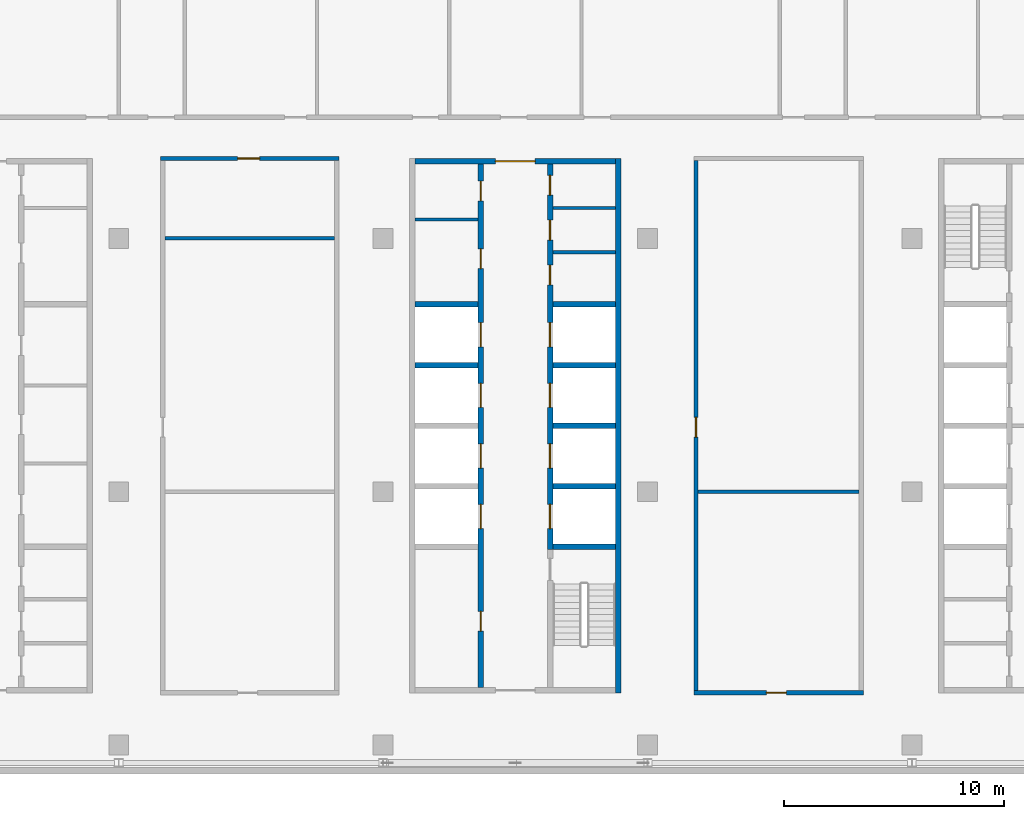
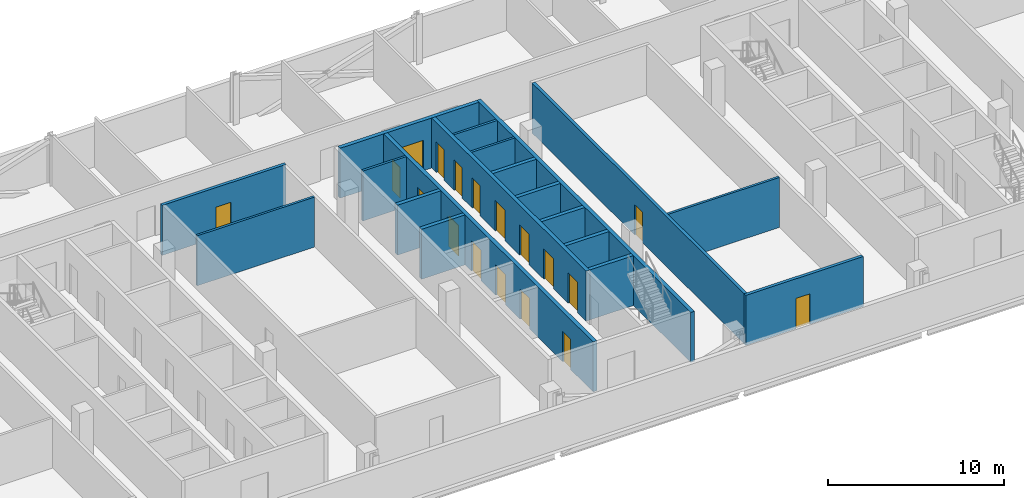
# One storey, part 12 of 25: 19 walls, 18 doors, 18 openings.
"""IFC4 building model written with IfcOpenShell, lengths in metres."""

from ifc_helpers import new_model, si_unit, direction, frame, frame_2d, origin, place, context, subcontext, project, spatial, rectangle, extrude, material, layer, layer_set, type_object, element, fill, save


model = new_model("IFC4")

# Units and contexts
model_context = context("Model", 3, precision=1e-05, world=origin(), true_north=direction((0.0, 1.0)))
body_context = subcontext(model_context, "Body", "Model", "MODEL_VIEW")
ifc_project = project(units=[si_unit("LENGTHUNIT", "METRE"), si_unit("AREAUNIT", "SQUARE_METRE"), si_unit("VOLUMEUNIT", "CUBIC_METRE"), si_unit("PLANEANGLEUNIT", "RADIAN"), si_unit("MASSUNIT", "GRAM", prefix="KILO")], contexts=[model_context])

# Site, building, storey
site_placement = place(None, origin())
site = spatial("IfcSite", under=ifc_project, at=site_placement, CompositionType="ELEMENT")
building_placement = place(site_placement, origin())
building = spatial("IfcBuilding", under=site, at=building_placement, Name="Mahtab Terrace Research Tower", CompositionType="ELEMENT")
storey_placement = place(building_placement, frame((0.0, 0.0, 278.5)))
storey = spatial("IfcBuildingStorey", under=building, at=storey_placement, Name="L68", CompositionType="ELEMENT", Elevation=278.5)

# Walls
ifc_material_1 = material(Name="Gypsum board partition")
ifc_layer_1 = layer(ifc_material_1, 0.14990234375)
ifc_layer_set_1 = layer_set([ifc_layer_1], Name="Core partition 150")
wall_type_1 = type_object("IfcWallType", Name="Core partition 150", PredefinedType="PARTITIONING", material=ifc_layer_set_1)
for number, where, z_axis, x_axis, name in (
    (1, (-4.550048828125, 12.35498046875, 0.0), (0.0, 0.0, 1.0), (1.0, 0.0, 0.0), "Core wall B pWN936"),
    (2, (1.699951171875, 10.875, 0.0), (0.0, 0.0, 1.0), (1.0, 0.0, 0.0), "Core wall B pEN788"),
    (3, (1.699951171875, 12.875, 0.0), (0.0, 0.0, 1.0), (1.0, 0.0, 0.0), "Core wall B pEN988"),
):
    element("IfcWall", number, at=place(storey_placement, frame(where, z_axis=z_axis, x_axis=x_axis)), inside=storey, type_object=wall_type_1, Name=name, PredefinedType="PARTITIONING", context=body_context, shape_type="SweptSolid", body=[
        extrude(rectangle(XDim=2.85009765625, YDim=0.14990234375, at=frame_2d((1.425048828125, 0.0))), origin(), (0.0, 0.0, 1.0), 3.4599609375),
    ])
ifc_material_2 = material(Name="Concrete C70/85", Category="concrete")
ifc_layer_2 = layer(ifc_material_2, 0.25)
ifc_layer_set_2 = layer_set([ifc_layer_2], Name="Core wall 250")
wall_type_2 = type_object("IfcWallType", Name="Core wall 250", PredefinedType="SOLIDWALL", material=ifc_layer_set_2)
wall_1_placement = place(storey_placement, frame((4.675048828125, -9.125, 0.0), z_axis=(0.0, 0.0, 1.0), x_axis=(0.0, 1.0, 0.0)))
element("IfcWall", 4, at=wall_1_placement, inside=storey, type_object=wall_type_2, Name="Core wall B outerE", PredefinedType="SOLIDWALL", context=body_context, shape_type="SweptSolid", body=[
    extrude(rectangle(XDim=24.25, YDim=0.25, at=frame_2d((12.125, 0.0))), origin(), (0.0, 0.0, 1.0), 3.4599609375),
])

# Wall, opening, door
wall_2_placement = place(storey_placement, frame((-4.550048828125, 15.0, 0.0), z_axis=(0.0, 0.0, 1.0), x_axis=(1.0, 0.0, 0.0)))
wall_2 = element("IfcWall", 5, at=wall_2_placement, inside=storey, type_object=wall_type_2, Name="Core wall B endN", PredefinedType="SOLIDWALL", context=body_context, shape_type="SweptSolid", body=[
    extrude(rectangle(XDim=9.10009765625, YDim=0.25, at=frame_2d((4.550048828125, 0.0))), origin(), (0.0, 0.0, 1.0), 3.4599609375),
])
opening_1_placement = place(wall_2_placement, frame((3.64990234375, 0.0, 0.0)))
opening_1 = element("IfcOpeningElement", 6, at=opening_1_placement, cuts=wall_2, Name="Opening B-N1", PredefinedType="OPENING", context=body_context, shape_type="SweptSolid", body=[
    extrude(rectangle(XDim=1.800048828125, YDim=2.10009765625, at=frame_2d((0.89990234375, 1.050048828125))), frame((0.0, 0.135009765625, 0.0), z_axis=(0.0, -1.0, 0.0), x_axis=(1.0, 0.0, 0.0)), (0.0, 0.0, 1.0), 0.27001953125),
])
ifc_material_3 = material(Name="Steel fire door", Category="steel")
door_type_1 = type_object("IfcDoorType", Name="Lobby double door 1800x2100 1 HR", OperationType="DOUBLE_DOOR_SINGLE_SWING", PredefinedType="DOOR", material=ifc_material_3)
door_1_placement = place(opening_1_placement, origin())
door_1 = element("IfcDoor", 7, at=door_1_placement, inside=storey, type_object=door_type_1, Name="Core entrance door B N", OperationType="DOUBLE_DOOR_SINGLE_SWING", OverallHeight=2.10009765625, OverallWidth=1.800048828125, PredefinedType="DOOR", context=body_context, shape_type="SweptSolid", body=[
    extrude(rectangle(XDim=1.800048828125, YDim=2.10009765625, at=frame_2d((0.89990234375, 1.050048828125))), frame((0.0, 0.02490234375, 0.0), z_axis=(0.0, -1.0, 0.0), x_axis=(1.0, 0.0, 0.0)), (0.0, 0.0, 1.0), 0.050048828125),
])
fill(opening_1, door_1)

# Wall, openings, doors
wall_3_placement = place(storey_placement, frame((-1.574951171875, -8.875, 0.0), z_axis=(0.0, 0.0, 1.0), x_axis=(0.0, 1.0, 0.0)))
wall_3 = element("IfcWall", 8, at=wall_3_placement, inside=storey, type_object=wall_type_2, Name="Core wall B innerWSLN", PredefinedType="SOLIDWALL", context=body_context, shape_type="SweptSolid", body=[
    extrude(rectangle(XDim=23.75, YDim=0.25, at=frame_2d((11.875, 0.0))), origin(), (0.0, 0.0, 1.0), 3.4599609375),
])
opening_2_placement = place(wall_3_placement, frame((7.199951171875, 0.0, 0.0)))
opening_2 = element("IfcOpeningElement", 9, at=opening_2_placement, cuts=wall_3, Name="Opening LD09-L68", PredefinedType="OPENING", context=body_context, shape_type="SweptSolid", body=[
    extrude(rectangle(XDim=1.10009765625, YDim=2.10009765625, at=frame_2d((0.550048828125, 1.050048828125))), frame((0.0, 0.135009765625, 0.0), z_axis=(0.0, -1.0, 0.0), x_axis=(1.0, 0.0, 0.0)), (0.0, 0.0, 1.0), 0.27001953125),
])
opening_3_placement = place(wall_3_placement, frame((9.949951171875, 0.0, 0.0)))
opening_3 = element("IfcOpeningElement", 10, at=opening_3_placement, cuts=wall_3, Name="Opening LD10-L68", PredefinedType="OPENING", context=body_context, shape_type="SweptSolid", body=[
    extrude(rectangle(XDim=1.10009765625, YDim=2.10009765625, at=frame_2d((0.550048828125, 1.050048828125))), frame((0.0, 0.135009765625, 0.0), z_axis=(0.0, -1.0, 0.0), x_axis=(1.0, 0.0, 0.0)), (0.0, 0.0, 1.0), 0.27001953125),
])
opening_4_placement = place(wall_3_placement, frame((12.699951171875, 0.0, 0.0)))
opening_4 = element("IfcOpeningElement", 11, at=opening_4_placement, cuts=wall_3, Name="Opening LD11-L68", PredefinedType="OPENING", context=body_context, shape_type="SweptSolid", body=[
    extrude(rectangle(XDim=1.10009765625, YDim=2.10009765625, at=frame_2d((0.550048828125, 1.050048828125))), frame((0.0, 0.135009765625, 0.0), z_axis=(0.0, -1.0, 0.0), x_axis=(1.0, 0.0, 0.0)), (0.0, 0.0, 1.0), 0.27001953125),
])
opening_5_placement = place(wall_3_placement, frame((15.449951171875, 0.0, 0.0)))
opening_5 = element("IfcOpeningElement", 12, at=opening_5_placement, cuts=wall_3, Name="Opening LD12-L68", PredefinedType="OPENING", context=body_context, shape_type="SweptSolid", body=[
    extrude(rectangle(XDim=1.10009765625, YDim=2.10009765625, at=frame_2d((0.550048828125, 1.050048828125))), frame((0.0, 0.135009765625, 0.0), z_axis=(0.0, -1.0, 0.0), x_axis=(1.0, 0.0, 0.0)), (0.0, 0.0, 1.0), 0.27001953125),
])
opening_6_placement = place(wall_3_placement, frame((2.550048828125, 0.0, 0.0)))
opening_6 = element("IfcOpeningElement", 13, at=opening_6_placement, cuts=wall_3, Name="Opening B-R1", PredefinedType="OPENING", context=body_context, shape_type="SweptSolid", body=[
    extrude(rectangle(XDim=0.89990234375, YDim=2.10009765625, at=frame_2d((0.449951171875, 1.050048828125))), frame((0.0, 0.135009765625, 0.0), z_axis=(0.0, -1.0, 0.0), x_axis=(1.0, 0.0, 0.0)), (0.0, 0.0, 1.0), 0.27001953125),
])
opening_7_placement = place(wall_3_placement, frame((19.00244140625, 0.0, 0.0)))
opening_7 = element("IfcOpeningElement", 14, at=opening_7_placement, cuts=wall_3, Name="Opening B-R2", PredefinedType="OPENING", context=body_context, shape_type="SweptSolid", body=[
    extrude(rectangle(XDim=0.89990234375, YDim=2.10009765625, at=frame_2d((0.449951171875, 1.050048828125))), frame((0.0, 0.135009765625, 0.0), z_axis=(0.0, -1.0, 0.0), x_axis=(1.0, 0.0, 0.0)), (0.0, 0.0, 1.0), 0.27001953125),
])
opening_8_placement = place(wall_3_placement, frame((22.077392578125, 0.0, 0.0)))
opening_8 = element("IfcOpeningElement", 15, at=opening_8_placement, cuts=wall_3, Name="Opening B-R3", PredefinedType="OPENING", context=body_context, shape_type="SweptSolid", body=[
    extrude(rectangle(XDim=0.89990234375, YDim=2.10009765625, at=frame_2d((0.449951171875, 1.050048828125))), frame((0.0, 0.135009765625, 0.0), z_axis=(0.0, -1.0, 0.0), x_axis=(1.0, 0.0, 0.0)), (0.0, 0.0, 1.0), 0.27001953125),
])
ifc_material_4 = material(Name="Stainless steel AISI 304", Category="steel")
door_type_2 = type_object("IfcDoorType", Name="Landing door 1100x2100", OperationType="DOUBLE_DOOR_SLIDING", PredefinedType="DOOR", material=ifc_material_4)
door_2_placement = place(opening_2_placement, origin())
door_2 = element("IfcDoor", 16, at=door_2_placement, inside=storey, type_object=door_type_2, Name="Landing door HR1 L68", OperationType="DOUBLE_DOOR_SLIDING", OverallHeight=2.10009765625, OverallWidth=1.10009765625, PredefinedType="DOOR", context=body_context, shape_type="SweptSolid", body=[
    extrude(rectangle(XDim=1.10009765625, YDim=2.10009765625, at=frame_2d((0.550048828125, 1.050048828125))), frame((0.0, 0.02490234375, 0.0), z_axis=(0.0, -1.0, 0.0), x_axis=(1.0, 0.0, 0.0)), (0.0, 0.0, 1.0), 0.050048828125),
])
fill(opening_2, door_2)
door_3_placement = place(opening_3_placement, origin())
door_3 = element("IfcDoor", 17, at=door_3_placement, inside=storey, type_object=door_type_2, Name="Landing door HR2 L68", OperationType="DOUBLE_DOOR_SLIDING", OverallHeight=2.10009765625, OverallWidth=1.10009765625, PredefinedType="DOOR", context=body_context, shape_type="SweptSolid", body=[
    extrude(rectangle(XDim=1.10009765625, YDim=2.10009765625, at=frame_2d((0.550048828125, 1.050048828125))), frame((0.0, 0.02490234375, 0.0), z_axis=(0.0, -1.0, 0.0), x_axis=(1.0, 0.0, 0.0)), (0.0, 0.0, 1.0), 0.050048828125),
])
fill(opening_3, door_3)
door_4_placement = place(opening_4_placement, origin())
door_4 = element("IfcDoor", 18, at=door_4_placement, inside=storey, type_object=door_type_2, Name="Landing door HR3 L68", OperationType="DOUBLE_DOOR_SLIDING", OverallHeight=2.10009765625, OverallWidth=1.10009765625, PredefinedType="DOOR", context=body_context, shape_type="SweptSolid", body=[
    extrude(rectangle(XDim=1.10009765625, YDim=2.10009765625, at=frame_2d((0.550048828125, 1.050048828125))), frame((0.0, 0.02490234375, 0.0), z_axis=(0.0, -1.0, 0.0), x_axis=(1.0, 0.0, 0.0)), (0.0, 0.0, 1.0), 0.050048828125),
])
fill(opening_4, door_4)
door_5_placement = place(opening_5_placement, origin())
door_5 = element("IfcDoor", 19, at=door_5_placement, inside=storey, type_object=door_type_2, Name="Landing door HR4 L68", OperationType="DOUBLE_DOOR_SLIDING", OverallHeight=2.10009765625, OverallWidth=1.10009765625, PredefinedType="DOOR", context=body_context, shape_type="SweptSolid", body=[
    extrude(rectangle(XDim=1.10009765625, YDim=2.10009765625, at=frame_2d((0.550048828125, 1.050048828125))), frame((0.0, 0.02490234375, 0.0), z_axis=(0.0, -1.0, 0.0), x_axis=(1.0, 0.0, 0.0)), (0.0, 0.0, 1.0), 0.050048828125),
])
fill(opening_5, door_5)
door_type_3 = type_object("IfcDoorType", Name="Room door 900x2100 1 HR", OperationType="NOTDEFINED", PredefinedType="DOOR", material=ifc_material_3)
door_6_placement = place(opening_6_placement, origin())
door_6 = element("IfcDoor", 20, at=door_6_placement, inside=storey, type_object=door_type_3, Name="Gas cylinder store door", OperationType="SINGLE_SWING_LEFT", OverallHeight=2.10009765625, OverallWidth=0.89990234375, PredefinedType="DOOR", context=body_context, shape_type="SweptSolid", body=[
    extrude(rectangle(XDim=0.89990234375, YDim=2.10009765625, at=frame_2d((0.449951171875, 1.050048828125))), frame((0.0, 0.02490234375, 0.0), z_axis=(0.0, -1.0, 0.0), x_axis=(1.0, 0.0, 0.0)), (0.0, 0.0, 1.0), 0.050048828125),
])
fill(opening_6, door_6)
door_7_placement = place(opening_7_placement, origin())
door_7 = element("IfcDoor", 21, at=door_7_placement, inside=storey, type_object=door_type_3, Name="Pantry door", OperationType="SINGLE_SWING_RIGHT", OverallHeight=2.10009765625, OverallWidth=0.89990234375, PredefinedType="DOOR", context=body_context, shape_type="SweptSolid", body=[
    extrude(rectangle(XDim=0.89990234375, YDim=2.10009765625, at=frame_2d((0.449951171875, 1.050048828125))), frame((0.0, 0.02490234375, 0.0), z_axis=(0.0, -1.0, 0.0), x_axis=(1.0, 0.0, 0.0)), (0.0, 0.0, 1.0), 0.050048828125),
])
fill(opening_7, door_7)
door_8_placement = place(opening_8_placement, origin())
door_8 = element("IfcDoor", 22, at=door_8_placement, inside=storey, type_object=door_type_3, Name="Linen store door", OperationType="SINGLE_SWING_LEFT", OverallHeight=2.10009765625, OverallWidth=0.89990234375, PredefinedType="DOOR", context=body_context, shape_type="SweptSolid", body=[
    extrude(rectangle(XDim=0.89990234375, YDim=2.10009765625, at=frame_2d((0.449951171875, 1.050048828125))), frame((0.0, 0.02490234375, 0.0), z_axis=(0.0, -1.0, 0.0), x_axis=(1.0, 0.0, 0.0)), (0.0, 0.0, 1.0), 0.050048828125),
])
fill(opening_8, door_8)

wall_4_placement = place(storey_placement, frame((1.574951171875, 14.875, 0.0), z_axis=(0.0, 0.0, 1.0), x_axis=(0.0, -1.0, 0.0)))
wall_4 = element("IfcWall", 23, at=wall_4_placement, inside=storey, type_object=wall_type_2, Name="Core wall B innerELN", PredefinedType="SOLIDWALL", context=body_context, shape_type="SweptSolid", body=[
    extrude(rectangle(XDim=17.5, YDim=0.25, at=frame_2d((8.75, 0.0))), origin(), (0.0, 0.0, 1.0), 3.4599609375),
])
opening_9_placement = place(wall_4_placement, frame((15.449951171875, 0.0, 0.0)))
opening_9 = element("IfcOpeningElement", 24, at=opening_9_placement, cuts=wall_4, Name="Opening LD13-L68", PredefinedType="OPENING", context=body_context, shape_type="SweptSolid", body=[
    extrude(rectangle(XDim=1.10009765625, YDim=2.10009765625, at=frame_2d((0.550048828125, 1.050048828125))), frame((0.0, 0.135009765625, 0.0), z_axis=(0.0, -1.0, 0.0), x_axis=(1.0, 0.0, 0.0)), (0.0, 0.0, 1.0), 0.27001953125),
])
opening_10_placement = place(wall_4_placement, frame((12.699951171875, 0.0, 0.0)))
opening_10 = element("IfcOpeningElement", 25, at=opening_10_placement, cuts=wall_4, Name="Opening LD14-L68", PredefinedType="OPENING", context=body_context, shape_type="SweptSolid", body=[
    extrude(rectangle(XDim=1.10009765625, YDim=2.10009765625, at=frame_2d((0.550048828125, 1.050048828125))), frame((0.0, 0.135009765625, 0.0), z_axis=(0.0, -1.0, 0.0), x_axis=(1.0, 0.0, 0.0)), (0.0, 0.0, 1.0), 0.27001953125),
])
opening_11_placement = place(wall_4_placement, frame((9.949951171875, 0.0, 0.0)))
opening_11 = element("IfcOpeningElement", 26, at=opening_11_placement, cuts=wall_4, Name="Opening LD15-L68", PredefinedType="OPENING", context=body_context, shape_type="SweptSolid", body=[
    extrude(rectangle(XDim=1.10009765625, YDim=2.10009765625, at=frame_2d((0.550048828125, 1.050048828125))), frame((0.0, 0.135009765625, 0.0), z_axis=(0.0, -1.0, 0.0), x_axis=(1.0, 0.0, 0.0)), (0.0, 0.0, 1.0), 0.27001953125),
])
opening_12_placement = place(wall_4_placement, frame((7.199951171875, 0.0, 0.0)))
opening_12 = element("IfcOpeningElement", 27, at=opening_12_placement, cuts=wall_4, Name="Opening LD16-L68", PredefinedType="OPENING", context=body_context, shape_type="SweptSolid", body=[
    extrude(rectangle(XDim=1.10009765625, YDim=2.10009765625, at=frame_2d((0.550048828125, 1.050048828125))), frame((0.0, 0.135009765625, 0.0), z_axis=(0.0, -1.0, 0.0), x_axis=(1.0, 0.0, 0.0)), (0.0, 0.0, 1.0), 0.27001953125),
])
opening_13_placement = place(wall_4_placement, frame((4.58740234375, 0.0, 0.0)))
opening_13 = element("IfcOpeningElement", 28, at=opening_13_placement, cuts=wall_4, Name="Opening B-R4", PredefinedType="OPENING", context=body_context, shape_type="SweptSolid", body=[
    extrude(rectangle(XDim=0.89990234375, YDim=2.10009765625, at=frame_2d((0.449951171875, 1.050048828125))), frame((0.0, 0.135009765625, 0.0), z_axis=(0.0, -1.0, 0.0), x_axis=(1.0, 0.0, 0.0)), (0.0, 0.0, 1.0), 0.27001953125),
])
opening_14_placement = place(wall_4_placement, frame((2.550048828125, 0.0, 0.0)))
opening_14 = element("IfcOpeningElement", 29, at=opening_14_placement, cuts=wall_4, Name="Opening B-R5", PredefinedType="OPENING", context=body_context, shape_type="SweptSolid", body=[
    extrude(rectangle(XDim=0.89990234375, YDim=2.10009765625, at=frame_2d((0.449951171875, 1.050048828125))), frame((0.0, 0.135009765625, 0.0), z_axis=(0.0, -1.0, 0.0), x_axis=(1.0, 0.0, 0.0)), (0.0, 0.0, 1.0), 0.27001953125),
])
opening_15_placement = place(wall_4_placement, frame((0.512451171875, 0.0, 0.0)))
opening_15 = element("IfcOpeningElement", 30, at=opening_15_placement, cuts=wall_4, Name="Opening B-R6", PredefinedType="OPENING", context=body_context, shape_type="SweptSolid", body=[
    extrude(rectangle(XDim=0.89990234375, YDim=2.10009765625, at=frame_2d((0.449951171875, 1.050048828125))), frame((0.0, 0.135009765625, 0.0), z_axis=(0.0, -1.0, 0.0), x_axis=(1.0, 0.0, 0.0)), (0.0, 0.0, 1.0), 0.27001953125),
])
door_9_placement = place(opening_9_placement, origin())
door_9 = element("IfcDoor", 31, at=door_9_placement, inside=storey, type_object=door_type_2, Name="Landing door HR5 L68", OperationType="DOUBLE_DOOR_SLIDING", OverallHeight=2.10009765625, OverallWidth=1.10009765625, PredefinedType="DOOR", context=body_context, shape_type="SweptSolid", body=[
    extrude(rectangle(XDim=1.10009765625, YDim=2.10009765625, at=frame_2d((0.550048828125, 1.050048828125))), frame((0.0, 0.02490234375, 0.0), z_axis=(0.0, -1.0, 0.0), x_axis=(1.0, 0.0, 0.0)), (0.0, 0.0, 1.0), 0.050048828125),
])
fill(opening_9, door_9)
door_10_placement = place(opening_10_placement, origin())
door_10 = element("IfcDoor", 32, at=door_10_placement, inside=storey, type_object=door_type_2, Name="Landing door HR6 L68", OperationType="DOUBLE_DOOR_SLIDING", OverallHeight=2.10009765625, OverallWidth=1.10009765625, PredefinedType="DOOR", context=body_context, shape_type="SweptSolid", body=[
    extrude(rectangle(XDim=1.10009765625, YDim=2.10009765625, at=frame_2d((0.550048828125, 1.050048828125))), frame((0.0, 0.02490234375, 0.0), z_axis=(0.0, -1.0, 0.0), x_axis=(1.0, 0.0, 0.0)), (0.0, 0.0, 1.0), 0.050048828125),
])
fill(opening_10, door_10)
door_11_placement = place(opening_11_placement, origin())
door_11 = element("IfcDoor", 33, at=door_11_placement, inside=storey, type_object=door_type_2, Name="Landing door HR7 L68", OperationType="DOUBLE_DOOR_SLIDING", OverallHeight=2.10009765625, OverallWidth=1.10009765625, PredefinedType="DOOR", context=body_context, shape_type="SweptSolid", body=[
    extrude(rectangle(XDim=1.10009765625, YDim=2.10009765625, at=frame_2d((0.550048828125, 1.050048828125))), frame((0.0, 0.02490234375, 0.0), z_axis=(0.0, -1.0, 0.0), x_axis=(1.0, 0.0, 0.0)), (0.0, 0.0, 1.0), 0.050048828125),
])
fill(opening_11, door_11)
door_12_placement = place(opening_12_placement, origin())
door_12 = element("IfcDoor", 34, at=door_12_placement, inside=storey, type_object=door_type_2, Name="Landing door HR8 L68", OperationType="DOUBLE_DOOR_SLIDING", OverallHeight=2.10009765625, OverallWidth=1.10009765625, PredefinedType="DOOR", context=body_context, shape_type="SweptSolid", body=[
    extrude(rectangle(XDim=1.10009765625, YDim=2.10009765625, at=frame_2d((0.550048828125, 1.050048828125))), frame((0.0, 0.02490234375, 0.0), z_axis=(0.0, -1.0, 0.0), x_axis=(1.0, 0.0, 0.0)), (0.0, 0.0, 1.0), 0.050048828125),
])
fill(opening_12, door_12)
door_13_placement = place(opening_13_placement, origin())
door_13 = element("IfcDoor", 35, at=door_13_placement, inside=storey, type_object=door_type_3, Name="Male WC door", OperationType="SINGLE_SWING_RIGHT", OverallHeight=2.10009765625, OverallWidth=0.89990234375, PredefinedType="DOOR", context=body_context, shape_type="SweptSolid", body=[
    extrude(rectangle(XDim=0.89990234375, YDim=2.10009765625, at=frame_2d((0.449951171875, 1.050048828125))), frame((0.0, 0.02490234375, 0.0), z_axis=(0.0, -1.0, 0.0), x_axis=(1.0, 0.0, 0.0)), (0.0, 0.0, 1.0), 0.050048828125),
])
fill(opening_13, door_13)
door_14_placement = place(opening_14_placement, origin())
door_14 = element("IfcDoor", 36, at=door_14_placement, inside=storey, type_object=door_type_3, Name="Female WC door", OperationType="SINGLE_SWING_LEFT", OverallHeight=2.10009765625, OverallWidth=0.89990234375, PredefinedType="DOOR", context=body_context, shape_type="SweptSolid", body=[
    extrude(rectangle(XDim=0.89990234375, YDim=2.10009765625, at=frame_2d((0.449951171875, 1.050048828125))), frame((0.0, 0.02490234375, 0.0), z_axis=(0.0, -1.0, 0.0), x_axis=(1.0, 0.0, 0.0)), (0.0, 0.0, 1.0), 0.050048828125),
])
fill(opening_14, door_14)
door_15_placement = place(opening_15_placement, origin())
door_15 = element("IfcDoor", 37, at=door_15_placement, inside=storey, type_object=door_type_3, Name="Accessible WC door", OperationType="SINGLE_SWING_RIGHT", OverallHeight=2.10009765625, OverallWidth=0.89990234375, PredefinedType="DOOR", context=body_context, shape_type="SweptSolid", body=[
    extrude(rectangle(XDim=0.89990234375, YDim=2.10009765625, at=frame_2d((0.449951171875, 1.050048828125))), frame((0.0, 0.02490234375, 0.0), z_axis=(0.0, -1.0, 0.0), x_axis=(1.0, 0.0, 0.0)), (0.0, 0.0, 1.0), 0.050048828125),
])
fill(opening_15, door_15)

# Walls
for number, where, z_axis, x_axis, name in (
    (38, (-4.550048828125, 5.75, 0.0), (0.0, 0.0, 1.0), (1.0, 0.0, 0.0), "Core wall B divW3"),
    (39, (-4.550048828125, 8.5, 0.0), (0.0, 0.0, 1.0), (1.0, 0.0, 0.0), "Core wall B divW4"),
    (40, (1.699951171875, -2.5, 0.0), (0.0, 0.0, 1.0), (1.0, 0.0, 0.0), "Core wall B divE0"),
    (41, (1.699951171875, 0.25, 0.0), (0.0, 0.0, 1.0), (1.0, 0.0, 0.0), "Core wall B divE1"),
    (42, (1.699951171875, 3.0, 0.0), (0.0, 0.0, 1.0), (1.0, 0.0, 0.0), "Core wall B divE2"),
    (43, (1.699951171875, 5.75, 0.0), (0.0, 0.0, 1.0), (1.0, 0.0, 0.0), "Core wall B divE3"),
    (44, (1.699951171875, 8.5, 0.0), (0.0, 0.0, 1.0), (1.0, 0.0, 0.0), "Core wall B divE4"),
):
    element("IfcWall", number, at=place(storey_placement, frame(where, z_axis=z_axis, x_axis=x_axis)), inside=storey, type_object=wall_type_2, Name=name, PredefinedType="SOLIDWALL", context=body_context, shape_type="SweptSolid", body=[
        extrude(rectangle(XDim=2.85009765625, YDim=0.25, at=frame_2d((1.425048828125, 0.0))), origin(), (0.0, 0.0, 1.0), 3.4599609375),
    ])

# Wall, opening, door
ifc_material_5 = material(Name="Gypsum board corridor wall on steel studs", Category="steel")
ifc_layer_3 = layer(ifc_material_5, 0.199951171875)
ifc_layer_set_3 = layer_set([ifc_layer_3], Name="WALL CORRIDOR 200")
wall_type_3 = type_object("IfcWallType", Name="WALL CORRIDOR 200", PredefinedType="PARTITIONING", material=ifc_layer_set_3)
wall_5_placement = place(storey_placement, frame((8.10009765625, -9.125, 0.0), z_axis=(0.0, 0.0, 1.0), x_axis=(1.0, 0.0, 0.0)))
wall_5 = element("IfcWall", 45, at=wall_5_placement, inside=storey, type_object=wall_type_3, Name="L68-W003", PredefinedType="PARTITIONING", context=body_context, shape_type="SweptSolid", body=[
    extrude(rectangle(XDim=7.699951171875, YDim=0.199951171875, at=frame_2d((3.85009765625, 0.0))), origin(), (0.0, 0.0, 1.0), 3.4599609375),
])
opening_16_placement = place(wall_5_placement, frame((3.300048828125, 0.0, 0.0)))
opening_16 = element("IfcOpeningElement", 46, at=opening_16_placement, cuts=wall_5, Name="Opening L68-103", PredefinedType="OPENING", context=body_context, shape_type="SweptSolid", body=[
    extrude(rectangle(XDim=0.89990234375, YDim=2.10009765625, at=frame_2d((0.449951171875, 1.050048828125))), frame((0.0, 0.10986328125, 0.0), z_axis=(0.0, -1.0, 0.0), x_axis=(1.0, 0.0, 0.0)), (0.0, 0.0, 1.0), 0.219970703125),
])
ifc_material_6 = material(Name="Timber door leaf in steel frame", Category="steel")
door_type_4 = type_object("IfcDoorType", Name="DOOR 0900X2100 FD30S", OperationType="SINGLE_SWING_LEFT", PredefinedType="DOOR", material=ifc_material_6)
door_16_placement = place(opening_16_placement, origin())
door_16 = element("IfcDoor", 47, at=door_16_placement, inside=storey, type_object=door_type_4, Name="Door L68-103", OperationType="SINGLE_SWING_LEFT", OverallHeight=2.10009765625, OverallWidth=0.89990234375, PredefinedType="DOOR", context=body_context, shape_type="SweptSolid", body=[
    extrude(rectangle(XDim=0.89990234375, YDim=2.10009765625, at=frame_2d((0.449951171875, 1.050048828125))), frame((0.0, 0.02490234375, 0.0), z_axis=(0.0, -1.0, 0.0), x_axis=(1.0, 0.0, 0.0)), (0.0, 0.0, 1.0), 0.050048828125),
])
fill(opening_16, door_16)

wall_6_placement = place(storey_placement, frame((-16.10009765625, 15.125, 0.0), z_axis=(0.0, 0.0, 1.0), x_axis=(1.0, 0.0, 0.0)))
wall_6 = element("IfcWall", 48, at=wall_6_placement, inside=storey, type_object=wall_type_3, Name="L68-W015", PredefinedType="PARTITIONING", context=body_context, shape_type="SweptSolid", body=[
    extrude(rectangle(XDim=8.10009765625, YDim=0.199951171875, at=frame_2d((4.050048828125, 0.0))), origin(), (0.0, 0.0, 1.0), 3.4599609375),
])
opening_17_placement = place(wall_6_placement, frame((3.5, 0.0, 0.0)))
opening_17 = element("IfcOpeningElement", 49, at=opening_17_placement, cuts=wall_6, Name="Opening L68-109", PredefinedType="OPENING", context=body_context, shape_type="SweptSolid", body=[
    extrude(rectangle(XDim=1.0, YDim=2.10009765625, at=frame_2d((0.5, 1.050048828125))), frame((0.0, 0.10986328125, 0.0), z_axis=(0.0, -1.0, 0.0), x_axis=(1.0, 0.0, 0.0)), (0.0, 0.0, 1.0), 0.219970703125),
])
door_type_5 = type_object("IfcDoorType", Name="DOOR 1000X2100 FD30S", OperationType="SINGLE_SWING_LEFT", PredefinedType="DOOR", material=ifc_material_6)
door_17_placement = place(opening_17_placement, origin())
door_17 = element("IfcDoor", 50, at=door_17_placement, inside=storey, type_object=door_type_5, Name="Door L68-109", OperationType="SINGLE_SWING_RIGHT", OverallHeight=2.10009765625, OverallWidth=1.0, PredefinedType="DOOR", context=body_context, shape_type="SweptSolid", body=[
    extrude(rectangle(XDim=1.0, YDim=2.10009765625, at=frame_2d((0.5, 1.050048828125))), frame((0.0, 0.02490234375, 0.0), z_axis=(0.0, -1.0, 0.0), x_axis=(1.0, 0.0, 0.0)), (0.0, 0.0, 1.0), 0.050048828125),
])
fill(opening_17, door_17)

wall_7_placement = place(storey_placement, frame((8.199951171875, -9.02490234375, 0.0), z_axis=(0.0, 0.0, 1.0), x_axis=(0.0, 1.0, 0.0)))
wall_7 = element("IfcWall", 51, at=wall_7_placement, inside=storey, type_object=wall_type_3, Name="L68-W030", PredefinedType="PARTITIONING", context=body_context, shape_type="SweptSolid", body=[
    extrude(rectangle(XDim=24.0498046875, YDim=0.199951171875, at=frame_2d((12.02490234375, 0.0))), origin(), (0.0, 0.0, 1.0), 3.4599609375),
])
opening_18_placement = place(wall_7_placement, frame((11.5, 0.0, 0.0)))
opening_18 = element("IfcOpeningElement", 52, at=opening_18_placement, cuts=wall_7, Name="Opening L68-108", PredefinedType="OPENING", context=body_context, shape_type="SweptSolid", body=[
    extrude(rectangle(XDim=0.89990234375, YDim=2.10009765625, at=frame_2d((0.449951171875, 1.050048828125))), frame((0.0, 0.10986328125, 0.0), z_axis=(0.0, -1.0, 0.0), x_axis=(1.0, 0.0, 0.0)), (0.0, 0.0, 1.0), 0.219970703125),
])
door_18_placement = place(opening_18_placement, origin())
door_18 = element("IfcDoor", 53, at=door_18_placement, inside=storey, type_object=door_type_4, Name="Door L68-108", OperationType="SINGLE_SWING_RIGHT", OverallHeight=2.10009765625, OverallWidth=0.89990234375, PredefinedType="DOOR", context=body_context, shape_type="SweptSolid", body=[
    extrude(rectangle(XDim=0.89990234375, YDim=2.10009765625, at=frame_2d((0.449951171875, 1.050048828125))), frame((0.0, 0.02490234375, 0.0), z_axis=(0.0, -1.0, 0.0), x_axis=(1.0, 0.0, 0.0)), (0.0, 0.0, 1.0), 0.050048828125),
])
fill(opening_18, door_18)

# Walls
ifc_material_7 = material(Name="Gypsum board partition on steel studs", Category="steel")
ifc_layer_4 = layer(ifc_material_7, 0.14990234375)
ifc_layer_set_4 = layer_set([ifc_layer_4], Name="WALL PARTITION 150")
wall_type_4 = type_object("IfcWallType", Name="WALL PARTITION 150", PredefinedType="PARTITIONING", material=ifc_layer_set_4)
wall_8_placement = place(storey_placement, frame((8.300048828125, 0.0, 0.0), z_axis=(0.0, 0.0, 1.0), x_axis=(1.0, 0.0, 0.0)))
element("IfcWall", 54, at=wall_8_placement, inside=storey, type_object=wall_type_4, Name="L68-W008", PredefinedType="PARTITIONING", context=body_context, shape_type="SweptSolid", body=[
    extrude(rectangle(XDim=7.300048828125, YDim=0.14990234375, at=frame_2d((3.64990234375, 0.0))), origin(), (0.0, 0.0, 1.0), 3.4599609375),
])
wall_9_placement = place(storey_placement, frame((-15.89990234375, 11.5, 0.0), z_axis=(0.0, 0.0, 1.0), x_axis=(1.0, 0.0, 0.0)))
element("IfcWall", 55, at=wall_9_placement, inside=storey, type_object=wall_type_4, Name="L68-W011", PredefinedType="PARTITIONING", context=body_context, shape_type="SweptSolid", body=[
    extrude(rectangle(XDim=7.699951171875, YDim=0.14990234375, at=frame_2d((3.85009765625, 0.0))), origin(), (0.0, 0.0, 1.0), 3.4599609375),
])

save(model, "model.ifc")
